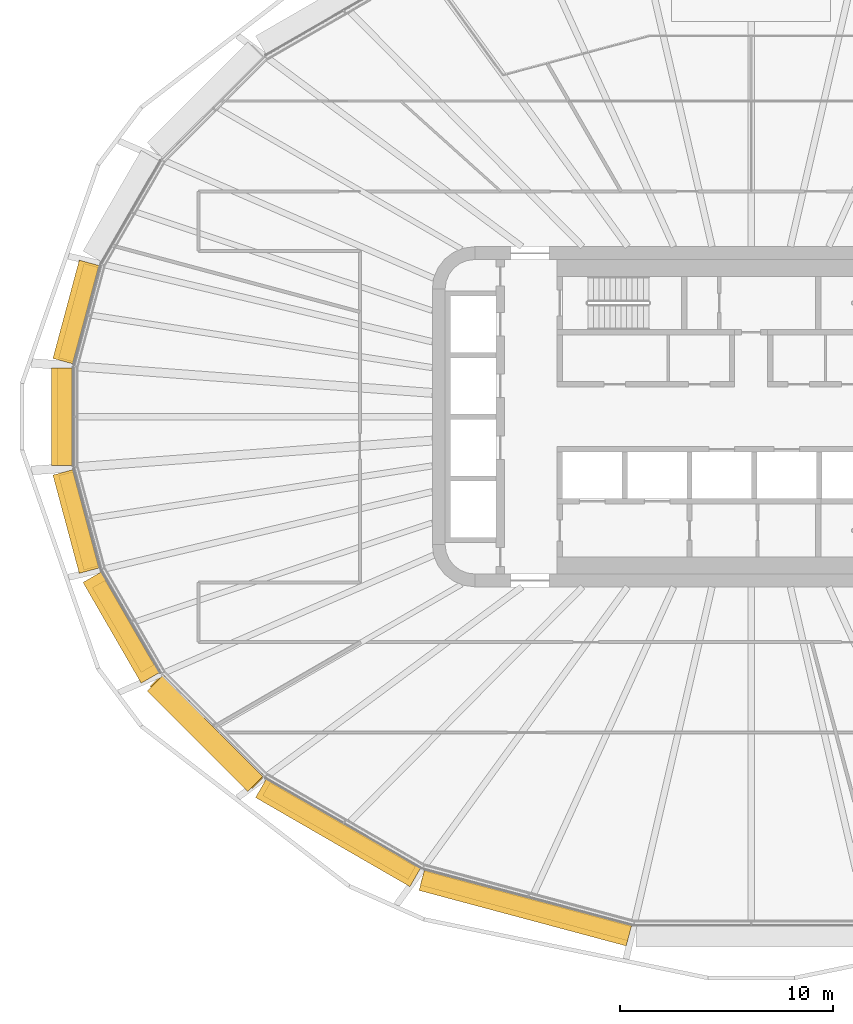
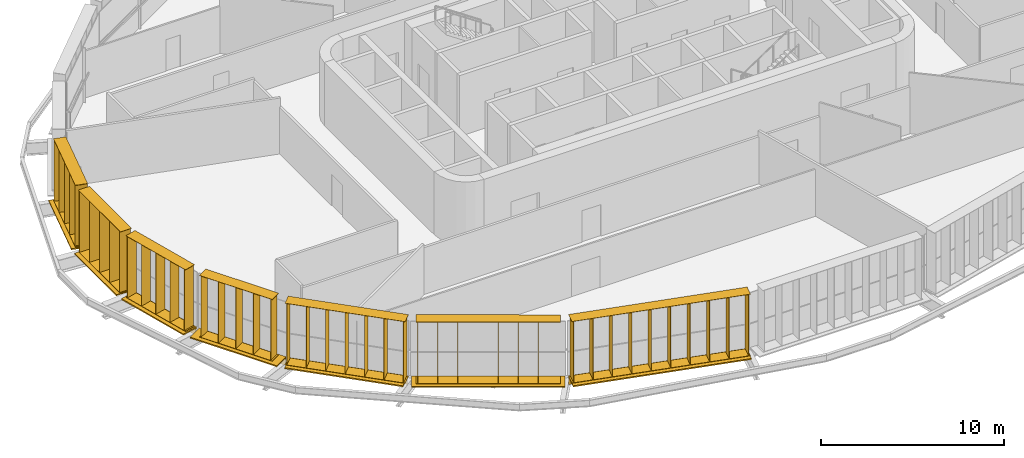
# One storey, part 19 of 24: 14 shading devices.
"""IFC4 building model written with IfcOpenShell, lengths in metres."""

from ifc_helpers import new_model, si_unit, direction, frame, origin, origin_2d, place, context, subcontext, project, spatial, rectangle, extrude, material, type_object, element, save


model = new_model("IFC4")

# Units and contexts
model_context = context("Model", 3, precision=1e-05, world=origin(), true_north=direction((0.0, 1.0)))
body_context = subcontext(model_context, "Body", "Model", "MODEL_VIEW")
ifc_project = project(units=[si_unit("LENGTHUNIT", "METRE"), si_unit("AREAUNIT", "SQUARE_METRE"), si_unit("VOLUMEUNIT", "CUBIC_METRE"), si_unit("PLANEANGLEUNIT", "RADIAN"), si_unit("MASSUNIT", "GRAM", prefix="KILO")], contexts=[model_context])

# Site, building, storey
site_placement = place(None, origin())
site = spatial("IfcSite", under=ifc_project, at=site_placement, CompositionType="ELEMENT")
building_placement = place(site_placement, origin())
building = spatial("IfcBuilding", under=site, at=building_placement, Name="Sahrelin Media Tower", CompositionType="ELEMENT")
storey_placement = place(building_placement, frame((0.0, 0.0, 118.800048828125)))
storey = spatial("IfcBuildingStorey", under=building, at=storey_placement, Name="L23", CompositionType="ELEMENT", Elevation=118.800048828125)

# Shading devices
ifc_material = material(Name="Champagne anodised aluminium 6063-T6", Category="aluminium")
shading_device_type_1 = type_object("IfcShadingDeviceType", Name="Fin cassette", PredefinedType="USERDEFINED", material=ifc_material)
placement_1 = place(storey_placement, frame((-31.23681640625, 4.788818359375, 0.0), z_axis=(0.0, 0.0, 1.0), x_axis=(0.258807731996, 0.965928857556, 0.0)))
element("IfcShadingDevice", 1, at=placement_1, inside=storey, type_object=shading_device_type_1, Name="L23:FIN:L23-11", ObjectType="FIN", PredefinedType="USERDEFINED", context=body_context, shape_type="SweptSolid", body=[
    extrude(rectangle(XDim=4.60009765625, YDim=0.699951171875, at=origin_2d()), frame((0.0, 0.419921875, 0.0)), (0.0, 0.0, 1.0), 0.02001953125),
    extrude(rectangle(XDim=4.60009765625, YDim=0.699951171875, at=origin_2d()), frame((0.0, 0.419921875, 4.10009765625)), (0.0, 0.0, 1.0), 0.02001953125),
    extrude(rectangle(XDim=0.02001953125, YDim=0.699951171875, at=origin_2d()), frame((-2.199951171875, 0.419921875, 0.010009765625), z_axis=(0.0, 0.0, 1.0), x_axis=(1.0, 0.0, 0.0)), (0.0, 0.0, 1.0), 4.10009765625),
    extrude(rectangle(XDim=0.02001953125, YDim=0.699951171875, at=origin_2d()), frame((-1.10009765625, 0.419921875, 0.010009765625), z_axis=(0.0, 0.0, 1.0), x_axis=(1.0, 0.0, 0.0)), (0.0, 0.0, 1.0), 4.10009765625),
    extrude(rectangle(XDim=0.02001953125, YDim=0.699951171875, at=origin_2d()), frame((0.0, 0.419921875, 0.010009765625), z_axis=(0.0, 0.0, 1.0), x_axis=(1.0, 0.0, 0.0)), (0.0, 0.0, 1.0), 4.10009765625),
    extrude(rectangle(XDim=0.02001953125, YDim=0.699951171875, at=origin_2d()), frame((1.10009765625, 0.419921875, 0.010009765625), z_axis=(0.0, 0.0, 1.0), x_axis=(1.0, 0.0, 0.0)), (0.0, 0.0, 1.0), 4.10009765625),
    extrude(rectangle(XDim=0.02001953125, YDim=0.699951171875, at=origin_2d()), frame((2.199951171875, 0.419921875, 0.010009765625), z_axis=(0.0, 0.0, 1.0), x_axis=(1.0, 0.0, 0.0)), (0.0, 0.0, 1.0), 4.10009765625),
])
placement_2 = place(storey_placement, frame((-31.881591796875, 0.0, 0.0), z_axis=(0.0, 0.0, 1.0), x_axis=(0.0, 1.0, 0.0)))
element("IfcShadingDevice", 2, at=placement_2, inside=storey, type_object=shading_device_type_1, Name="L23:FIN:L23-12", ObjectType="FIN", PredefinedType="USERDEFINED", context=body_context, shape_type="SweptSolid", body=[
    extrude(rectangle(XDim=4.60009765625, YDim=0.699951171875, at=origin_2d()), frame((0.0, 0.419921875, 0.0)), (0.0, 0.0, 1.0), 0.02001953125),
    extrude(rectangle(XDim=4.60009765625, YDim=0.699951171875, at=origin_2d()), frame((0.0, 0.419921875, 4.10009765625)), (0.0, 0.0, 1.0), 0.02001953125),
    extrude(rectangle(XDim=0.02001953125, YDim=0.699951171875, at=origin_2d()), frame((-2.199951171875, 0.419921875, 0.010009765625), z_axis=(0.0, 0.0, 1.0), x_axis=(1.0, 0.0, 0.0)), (0.0, 0.0, 1.0), 4.10009765625),
    extrude(rectangle(XDim=0.02001953125, YDim=0.699951171875, at=origin_2d()), frame((-1.10009765625, 0.419921875, 0.010009765625), z_axis=(0.0, 0.0, 1.0), x_axis=(1.0, 0.0, 0.0)), (0.0, 0.0, 1.0), 4.10009765625),
    extrude(rectangle(XDim=0.02001953125, YDim=0.699951171875, at=origin_2d()), frame((0.0, 0.419921875, 0.010009765625), z_axis=(0.0, 0.0, 1.0), x_axis=(1.0, 0.0, 0.0)), (0.0, 0.0, 1.0), 4.10009765625),
    extrude(rectangle(XDim=0.02001953125, YDim=0.699951171875, at=origin_2d()), frame((1.10009765625, 0.419921875, 0.010009765625), z_axis=(0.0, 0.0, 1.0), x_axis=(1.0, 0.0, 0.0)), (0.0, 0.0, 1.0), 4.10009765625),
    extrude(rectangle(XDim=0.02001953125, YDim=0.699951171875, at=origin_2d()), frame((2.199951171875, 0.419921875, 0.010009765625), z_axis=(0.0, 0.0, 1.0), x_axis=(1.0, 0.0, 0.0)), (0.0, 0.0, 1.0), 4.10009765625),
])
placement_3 = place(storey_placement, frame((-31.23681640625, -4.788818359375, 0.0), z_axis=(0.0, 0.0, 1.0), x_axis=(-0.258807731996, 0.965928857556, 0.0)))
element("IfcShadingDevice", 3, at=placement_3, inside=storey, type_object=shading_device_type_1, Name="L23:FIN:L23-13", ObjectType="FIN", PredefinedType="USERDEFINED", context=body_context, shape_type="SweptSolid", body=[
    extrude(rectangle(XDim=4.60009765625, YDim=0.699951171875, at=origin_2d()), frame((0.0, 0.419921875, 0.0)), (0.0, 0.0, 1.0), 0.02001953125),
    extrude(rectangle(XDim=4.60009765625, YDim=0.699951171875, at=origin_2d()), frame((0.0, 0.419921875, 4.10009765625)), (0.0, 0.0, 1.0), 0.02001953125),
    extrude(rectangle(XDim=0.02001953125, YDim=0.699951171875, at=origin_2d()), frame((-2.199951171875, 0.419921875, 0.010009765625), z_axis=(0.0, 0.0, 1.0), x_axis=(1.0, 0.0, 0.0)), (0.0, 0.0, 1.0), 4.10009765625),
    extrude(rectangle(XDim=0.02001953125, YDim=0.699951171875, at=origin_2d()), frame((-1.10009765625, 0.419921875, 0.010009765625), z_axis=(0.0, 0.0, 1.0), x_axis=(1.0, 0.0, 0.0)), (0.0, 0.0, 1.0), 4.10009765625),
    extrude(rectangle(XDim=0.02001953125, YDim=0.699951171875, at=origin_2d()), frame((0.0, 0.419921875, 0.010009765625), z_axis=(0.0, 0.0, 1.0), x_axis=(1.0, 0.0, 0.0)), (0.0, 0.0, 1.0), 4.10009765625),
    extrude(rectangle(XDim=0.02001953125, YDim=0.699951171875, at=origin_2d()), frame((1.10009765625, 0.419921875, 0.010009765625), z_axis=(0.0, 0.0, 1.0), x_axis=(1.0, 0.0, 0.0)), (0.0, 0.0, 1.0), 4.10009765625),
    extrude(rectangle(XDim=0.02001953125, YDim=0.699951171875, at=origin_2d()), frame((2.199951171875, 0.419921875, 0.010009765625), z_axis=(0.0, 0.0, 1.0), x_axis=(1.0, 0.0, 0.0)), (0.0, 0.0, 1.0), 4.10009765625),
])
placement_4 = place(storey_placement, frame((-29.174560546875, -9.650390625, 0.0), z_axis=(0.0, 0.0, 1.0), x_axis=(-0.500011000363, 0.866019052629, 0.0)))
element("IfcShadingDevice", 4, at=placement_4, inside=storey, type_object=shading_device_type_1, Name="L23:FIN:L23-14", ObjectType="FIN", PredefinedType="USERDEFINED", context=body_context, shape_type="SweptSolid", body=[
    extrude(rectangle(XDim=4.60009765625, YDim=0.699951171875, at=origin_2d()), frame((0.0, 0.419921875, 0.0)), (0.0, 0.0, 1.0), 0.02001953125),
    extrude(rectangle(XDim=4.60009765625, YDim=0.699951171875, at=origin_2d()), frame((0.0, 0.419921875, 4.10009765625)), (0.0, 0.0, 1.0), 0.02001953125),
    extrude(rectangle(XDim=0.02001953125, YDim=0.699951171875, at=origin_2d()), frame((-2.199951171875, 0.419921875, 0.010009765625), z_axis=(0.0, 0.0, 1.0), x_axis=(1.0, 0.0, 0.0)), (0.0, 0.0, 1.0), 4.10009765625),
    extrude(rectangle(XDim=0.02001953125, YDim=0.699951171875, at=origin_2d()), frame((-1.10009765625, 0.419921875, 0.010009765625), z_axis=(0.0, 0.0, 1.0), x_axis=(1.0, 0.0, 0.0)), (0.0, 0.0, 1.0), 4.10009765625),
    extrude(rectangle(XDim=0.02001953125, YDim=0.699951171875, at=origin_2d()), frame((0.0, 0.419921875, 0.010009765625), z_axis=(0.0, 0.0, 1.0), x_axis=(1.0, 0.0, 0.0)), (0.0, 0.0, 1.0), 4.10009765625),
    extrude(rectangle(XDim=0.02001953125, YDim=0.699951171875, at=origin_2d()), frame((1.10009765625, 0.419921875, 0.010009765625), z_axis=(0.0, 0.0, 1.0), x_axis=(1.0, 0.0, 0.0)), (0.0, 0.0, 1.0), 4.10009765625),
    extrude(rectangle(XDim=0.02001953125, YDim=0.699951171875, at=origin_2d()), frame((2.199951171875, 0.419921875, 0.010009765625), z_axis=(0.0, 0.0, 1.0), x_axis=(1.0, 0.0, 0.0)), (0.0, 0.0, 1.0), 4.10009765625),
])
placement_5 = place(storey_placement, frame((-25.322021484375, -14.54052734375, 0.0), z_axis=(0.0, 0.0, 1.0), x_axis=(-0.707106781187, 0.707106781187, 0.0)))
element("IfcShadingDevice", 5, at=placement_5, inside=storey, type_object=shading_device_type_1, Name="L23:FIN:L23-15", ObjectType="FIN", PredefinedType="USERDEFINED", context=body_context, shape_type="SweptSolid", body=[
    extrude(rectangle(XDim=6.800048828125, YDim=0.699951171875, at=origin_2d()), frame((0.0, 0.419921875, 0.0)), (0.0, 0.0, 1.0), 0.02001953125),
    extrude(rectangle(XDim=6.800048828125, YDim=0.699951171875, at=origin_2d()), frame((0.0, 0.419921875, 4.10009765625)), (0.0, 0.0, 1.0), 0.02001953125),
    extrude(rectangle(XDim=0.02001953125, YDim=0.699951171875, at=origin_2d()), frame((-3.300048828125, 0.419921875, 0.010009765625), z_axis=(0.0, 0.0, 1.0), x_axis=(1.0, 0.0, 0.0)), (0.0, 0.0, 1.0), 4.10009765625),
    extrude(rectangle(XDim=0.02001953125, YDim=0.699951171875, at=origin_2d()), frame((-2.199951171875, 0.419921875, 0.010009765625), z_axis=(0.0, 0.0, 1.0), x_axis=(1.0, 0.0, 0.0)), (0.0, 0.0, 1.0), 4.10009765625),
    extrude(rectangle(XDim=0.02001953125, YDim=0.699951171875, at=origin_2d()), frame((-1.10009765625, 0.419921875, 0.010009765625), z_axis=(0.0, 0.0, 1.0), x_axis=(1.0, 0.0, 0.0)), (0.0, 0.0, 1.0), 4.10009765625),
    extrude(rectangle(XDim=0.02001953125, YDim=0.699951171875, at=origin_2d()), frame((0.0, 0.419921875, 0.010009765625), z_axis=(0.0, 0.0, 1.0), x_axis=(1.0, 0.0, 0.0)), (0.0, 0.0, 1.0), 4.10009765625),
    extrude(rectangle(XDim=0.02001953125, YDim=0.699951171875, at=origin_2d()), frame((1.10009765625, 0.419921875, 0.010009765625), z_axis=(0.0, 0.0, 1.0), x_axis=(1.0, 0.0, 0.0)), (0.0, 0.0, 1.0), 4.10009765625),
    extrude(rectangle(XDim=0.02001953125, YDim=0.699951171875, at=origin_2d()), frame((2.199951171875, 0.419921875, 0.010009765625), z_axis=(0.0, 0.0, 1.0), x_axis=(1.0, 0.0, 0.0)), (0.0, 0.0, 1.0), 4.10009765625),
    extrude(rectangle(XDim=0.02001953125, YDim=0.699951171875, at=origin_2d()), frame((3.300048828125, 0.419921875, 0.010009765625), z_axis=(0.0, 0.0, 1.0), x_axis=(1.0, 0.0, 0.0)), (0.0, 0.0, 1.0), 4.10009765625),
])
placement_6 = place(storey_placement, frame((-19.17041015625, -19.12158203125, 0.0), z_axis=(0.0, 0.0, 1.0), x_axis=(-0.866019052629, 0.500011000363, 0.0)))
element("IfcShadingDevice", 6, at=placement_6, inside=storey, type_object=shading_device_type_1, Name="L23:FIN:L23-16", ObjectType="FIN", PredefinedType="USERDEFINED", context=body_context, shape_type="SweptSolid", body=[
    extrude(rectangle(XDim=7.89990234375, YDim=0.699951171875, at=origin_2d()), frame((0.0, 0.419921875, 0.0)), (0.0, 0.0, 1.0), 0.02001953125),
    extrude(rectangle(XDim=7.89990234375, YDim=0.699951171875, at=origin_2d()), frame((0.0, 0.419921875, 4.10009765625)), (0.0, 0.0, 1.0), 0.02001953125),
    extrude(rectangle(XDim=0.02001953125, YDim=0.699951171875, at=origin_2d()), frame((-3.85009765625, 0.419921875, 0.010009765625), z_axis=(0.0, 0.0, 1.0), x_axis=(1.0, 0.0, 0.0)), (0.0, 0.0, 1.0), 4.10009765625),
    extrude(rectangle(XDim=0.02001953125, YDim=0.699951171875, at=origin_2d()), frame((-2.75, 0.419921875, 0.010009765625), z_axis=(0.0, 0.0, 1.0), x_axis=(1.0, 0.0, 0.0)), (0.0, 0.0, 1.0), 4.10009765625),
    extrude(rectangle(XDim=0.02001953125, YDim=0.699951171875, at=origin_2d()), frame((-1.64990234375, 0.419921875, 0.010009765625), z_axis=(0.0, 0.0, 1.0), x_axis=(1.0, 0.0, 0.0)), (0.0, 0.0, 1.0), 4.10009765625),
    extrude(rectangle(XDim=0.02001953125, YDim=0.699951171875, at=origin_2d()), frame((-0.550048828125, 0.419921875, 0.010009765625), z_axis=(0.0, 0.0, 1.0), x_axis=(1.0, 0.0, 0.0)), (0.0, 0.0, 1.0), 4.10009765625),
    extrude(rectangle(XDim=0.02001953125, YDim=0.699951171875, at=origin_2d()), frame((0.550048828125, 0.419921875, 0.010009765625), z_axis=(0.0, 0.0, 1.0), x_axis=(1.0, 0.0, 0.0)), (0.0, 0.0, 1.0), 4.10009765625),
    extrude(rectangle(XDim=0.02001953125, YDim=0.699951171875, at=origin_2d()), frame((1.64990234375, 0.419921875, 0.010009765625), z_axis=(0.0, 0.0, 1.0), x_axis=(1.0, 0.0, 0.0)), (0.0, 0.0, 1.0), 4.10009765625),
    extrude(rectangle(XDim=0.02001953125, YDim=0.699951171875, at=origin_2d()), frame((2.75, 0.419921875, 0.010009765625), z_axis=(0.0, 0.0, 1.0), x_axis=(1.0, 0.0, 0.0)), (0.0, 0.0, 1.0), 4.10009765625),
    extrude(rectangle(XDim=0.02001953125, YDim=0.699951171875, at=origin_2d()), frame((3.85009765625, 0.419921875, 0.010009765625), z_axis=(0.0, 0.0, 1.0), x_axis=(1.0, 0.0, 0.0)), (0.0, 0.0, 1.0), 4.10009765625),
])
placement_7 = place(storey_placement, frame((-10.487060546875, -22.59814453125, 0.0), z_axis=(0.0, 0.0, 1.0), x_axis=(-0.965928857556, 0.258807731996, 0.0)))
element("IfcShadingDevice", 7, at=placement_7, inside=storey, type_object=shading_device_type_1, Name="L23:FIN:L23-17", ObjectType="FIN", PredefinedType="USERDEFINED", context=body_context, shape_type="SweptSolid", body=[
    extrude(rectangle(XDim=10.10009765625, YDim=0.699951171875, at=origin_2d()), frame((0.0, 0.419921875, 0.0)), (0.0, 0.0, 1.0), 0.02001953125),
    extrude(rectangle(XDim=10.10009765625, YDim=0.699951171875, at=origin_2d()), frame((0.0, 0.419921875, 4.10009765625)), (0.0, 0.0, 1.0), 0.02001953125),
    extrude(rectangle(XDim=0.02001953125, YDim=0.699951171875, at=origin_2d()), frame((-4.949951171875, 0.419921875, 0.010009765625), z_axis=(0.0, 0.0, 1.0), x_axis=(1.0, 0.0, 0.0)), (0.0, 0.0, 1.0), 4.10009765625),
    extrude(rectangle(XDim=0.02001953125, YDim=0.699951171875, at=origin_2d()), frame((-3.85009765625, 0.419921875, 0.010009765625), z_axis=(0.0, 0.0, 1.0), x_axis=(1.0, 0.0, 0.0)), (0.0, 0.0, 1.0), 4.10009765625),
    extrude(rectangle(XDim=0.02001953125, YDim=0.699951171875, at=origin_2d()), frame((-2.75, 0.419921875, 0.010009765625), z_axis=(0.0, 0.0, 1.0), x_axis=(1.0, 0.0, 0.0)), (0.0, 0.0, 1.0), 4.10009765625),
    extrude(rectangle(XDim=0.02001953125, YDim=0.699951171875, at=origin_2d()), frame((-1.64990234375, 0.419921875, 0.010009765625), z_axis=(0.0, 0.0, 1.0), x_axis=(1.0, 0.0, 0.0)), (0.0, 0.0, 1.0), 4.10009765625),
    extrude(rectangle(XDim=0.02001953125, YDim=0.699951171875, at=origin_2d()), frame((-0.550048828125, 0.419921875, 0.010009765625), z_axis=(0.0, 0.0, 1.0), x_axis=(1.0, 0.0, 0.0)), (0.0, 0.0, 1.0), 4.10009765625),
    extrude(rectangle(XDim=0.02001953125, YDim=0.699951171875, at=origin_2d()), frame((0.550048828125, 0.419921875, 0.010009765625), z_axis=(0.0, 0.0, 1.0), x_axis=(1.0, 0.0, 0.0)), (0.0, 0.0, 1.0), 4.10009765625),
    extrude(rectangle(XDim=0.02001953125, YDim=0.699951171875, at=origin_2d()), frame((1.64990234375, 0.419921875, 0.010009765625), z_axis=(0.0, 0.0, 1.0), x_axis=(1.0, 0.0, 0.0)), (0.0, 0.0, 1.0), 4.10009765625),
    extrude(rectangle(XDim=0.02001953125, YDim=0.699951171875, at=origin_2d()), frame((2.75, 0.419921875, 0.010009765625), z_axis=(0.0, 0.0, 1.0), x_axis=(1.0, 0.0, 0.0)), (0.0, 0.0, 1.0), 4.10009765625),
    extrude(rectangle(XDim=0.02001953125, YDim=0.699951171875, at=origin_2d()), frame((3.85009765625, 0.419921875, 0.010009765625), z_axis=(0.0, 0.0, 1.0), x_axis=(1.0, 0.0, 0.0)), (0.0, 0.0, 1.0), 4.10009765625),
    extrude(rectangle(XDim=0.02001953125, YDim=0.699951171875, at=origin_2d()), frame((4.949951171875, 0.419921875, 0.010009765625), z_axis=(0.0, 0.0, 1.0), x_axis=(1.0, 0.0, 0.0)), (0.0, 0.0, 1.0), 4.10009765625),
])
shading_device_type_2 = type_object("IfcShadingDeviceType", Name="Sunshade band", PredefinedType="USERDEFINED", material=ifc_material)
element("IfcShadingDevice", 8, at=placement_1, inside=storey, type_object=shading_device_type_2, Name="L23:SUN:L23-11", ObjectType="SUNSHADE", PredefinedType="USERDEFINED", context=body_context, shape_type="SweptSolid", body=[
    extrude(rectangle(XDim=4.782958984375, YDim=0.050048828125, at=origin_2d()), frame((0.0, 0.044921875, -0.55126953125)), (0.0, 0.0, 1.0), 0.471435546875),
    extrude(rectangle(XDim=4.782958984375, YDim=1.0, at=origin_2d()), frame((0.0, 0.52001953125, -0.080078125)), (0.0, 0.0, 1.0), 0.080078125),
    extrude(rectangle(XDim=0.10009765625, YDim=0.074951171875, at=origin_2d()), frame((-2.29150390625, -0.017578125, -0.47021484375)), (0.0, 0.0, 1.0), 0.300048828125),
    extrude(rectangle(XDim=0.10009765625, YDim=0.074951171875, at=origin_2d()), frame((-0.763916015625, -0.017578125, -0.47021484375)), (0.0, 0.0, 1.0), 0.300048828125),
    extrude(rectangle(XDim=0.10009765625, YDim=0.074951171875, at=origin_2d()), frame((0.763916015625, -0.017578125, -0.47021484375)), (0.0, 0.0, 1.0), 0.300048828125),
    extrude(rectangle(XDim=0.10009765625, YDim=0.074951171875, at=origin_2d()), frame((2.29150390625, -0.017578125, -0.47021484375)), (0.0, 0.0, 1.0), 0.300048828125),
])
element("IfcShadingDevice", 9, at=placement_2, inside=storey, type_object=shading_device_type_2, Name="L23:SUN:L23-12", ObjectType="SUNSHADE", PredefinedType="USERDEFINED", context=body_context, shape_type="SweptSolid", body=[
    extrude(rectangle(XDim=4.564697265625, YDim=0.050048828125, at=origin_2d()), frame((0.0, 0.044921875, -0.55126953125)), (0.0, 0.0, 1.0), 0.471435546875),
    extrude(rectangle(XDim=4.564697265625, YDim=1.0, at=origin_2d()), frame((0.0, 0.52001953125, -0.080078125)), (0.0, 0.0, 1.0), 0.080078125),
    extrude(rectangle(XDim=0.10009765625, YDim=0.074951171875, at=origin_2d()), frame((-2.182373046875, -0.017578125, -0.47021484375)), (0.0, 0.0, 1.0), 0.300048828125),
    extrude(rectangle(XDim=0.10009765625, YDim=0.074951171875, at=origin_2d()), frame((-0.727294921875, -0.017578125, -0.47021484375)), (0.0, 0.0, 1.0), 0.300048828125),
    extrude(rectangle(XDim=0.10009765625, YDim=0.074951171875, at=origin_2d()), frame((0.727294921875, -0.017578125, -0.47021484375)), (0.0, 0.0, 1.0), 0.300048828125),
    extrude(rectangle(XDim=0.10009765625, YDim=0.074951171875, at=origin_2d()), frame((2.182373046875, -0.017578125, -0.47021484375)), (0.0, 0.0, 1.0), 0.300048828125),
])
element("IfcShadingDevice", 10, at=placement_3, inside=storey, type_object=shading_device_type_2, Name="L23:SUN:L23-13", ObjectType="SUNSHADE", PredefinedType="USERDEFINED", context=body_context, shape_type="SweptSolid", body=[
    extrude(rectangle(XDim=4.782958984375, YDim=0.050048828125, at=origin_2d()), frame((0.0, 0.044921875, -0.55126953125)), (0.0, 0.0, 1.0), 0.471435546875),
    extrude(rectangle(XDim=4.782958984375, YDim=1.0, at=origin_2d()), frame((0.0, 0.52001953125, -0.080078125)), (0.0, 0.0, 1.0), 0.080078125),
    extrude(rectangle(XDim=0.10009765625, YDim=0.074951171875, at=origin_2d()), frame((-2.29150390625, -0.017578125, -0.47021484375)), (0.0, 0.0, 1.0), 0.300048828125),
    extrude(rectangle(XDim=0.10009765625, YDim=0.074951171875, at=origin_2d()), frame((-0.763916015625, -0.017578125, -0.47021484375)), (0.0, 0.0, 1.0), 0.300048828125),
    extrude(rectangle(XDim=0.10009765625, YDim=0.074951171875, at=origin_2d()), frame((0.763916015625, -0.017578125, -0.47021484375)), (0.0, 0.0, 1.0), 0.300048828125),
    extrude(rectangle(XDim=0.10009765625, YDim=0.074951171875, at=origin_2d()), frame((2.29150390625, -0.017578125, -0.47021484375)), (0.0, 0.0, 1.0), 0.300048828125),
])
element("IfcShadingDevice", 11, at=placement_4, inside=storey, type_object=shading_device_type_2, Name="L23:SUN:L23-14", ObjectType="SUNSHADE", PredefinedType="USERDEFINED", context=body_context, shape_type="SweptSolid", body=[
    extrude(rectangle(XDim=5.469482421875, YDim=0.050048828125, at=origin_2d()), frame((0.0, 0.044921875, -0.55126953125)), (0.0, 0.0, 1.0), 0.471435546875),
    extrude(rectangle(XDim=5.469482421875, YDim=1.0, at=origin_2d()), frame((0.0, 0.52001953125, -0.080078125)), (0.0, 0.0, 1.0), 0.080078125),
    extrude(rectangle(XDim=0.10009765625, YDim=0.074951171875, at=origin_2d()), frame((-2.634765625, -0.017578125, -0.47021484375)), (0.0, 0.0, 1.0), 0.300048828125),
    extrude(rectangle(XDim=0.10009765625, YDim=0.074951171875, at=origin_2d()), frame((-0.87841796875, -0.017578125, -0.47021484375)), (0.0, 0.0, 1.0), 0.300048828125),
    extrude(rectangle(XDim=0.10009765625, YDim=0.074951171875, at=origin_2d()), frame((0.87841796875, -0.017578125, -0.47021484375)), (0.0, 0.0, 1.0), 0.300048828125),
    extrude(rectangle(XDim=0.10009765625, YDim=0.074951171875, at=origin_2d()), frame((2.634765625, -0.017578125, -0.47021484375)), (0.0, 0.0, 1.0), 0.300048828125),
])
element("IfcShadingDevice", 12, at=placement_5, inside=storey, type_object=shading_device_type_2, Name="L23:SUN:L23-15", ObjectType="SUNSHADE", PredefinedType="USERDEFINED", context=body_context, shape_type="SweptSolid", body=[
    extrude(rectangle(XDim=6.6875, YDim=0.050048828125, at=origin_2d()), frame((0.0, 0.044921875, -0.55126953125)), (0.0, 0.0, 1.0), 0.471435546875),
    extrude(rectangle(XDim=6.6875, YDim=1.0, at=origin_2d()), frame((0.0, 0.52001953125, -0.080078125)), (0.0, 0.0, 1.0), 0.080078125),
    extrude(rectangle(XDim=0.10009765625, YDim=0.074951171875, at=origin_2d()), frame((-3.243896484375, -0.017578125, -0.47021484375)), (0.0, 0.0, 1.0), 0.300048828125),
    extrude(rectangle(XDim=0.10009765625, YDim=0.074951171875, at=origin_2d()), frame((-1.621826171875, -0.017578125, -0.47021484375)), (0.0, 0.0, 1.0), 0.300048828125),
    extrude(rectangle(XDim=0.10009765625, YDim=0.074951171875, at=origin_2d()), frame((0.0, -0.017578125, -0.47021484375)), (0.0, 0.0, 1.0), 0.300048828125),
    extrude(rectangle(XDim=0.10009765625, YDim=0.074951171875, at=origin_2d()), frame((1.621826171875, -0.017578125, -0.47021484375)), (0.0, 0.0, 1.0), 0.300048828125),
    extrude(rectangle(XDim=0.10009765625, YDim=0.074951171875, at=origin_2d()), frame((3.243896484375, -0.017578125, -0.47021484375)), (0.0, 0.0, 1.0), 0.300048828125),
])
element("IfcShadingDevice", 13, at=placement_6, inside=storey, type_object=shading_device_type_2, Name="L23:SUN:L23-16", ObjectType="SUNSHADE", PredefinedType="USERDEFINED", context=body_context, shape_type="SweptSolid", body=[
    extrude(rectangle(XDim=8.383056640625, YDim=0.050048828125, at=origin_2d()), frame((0.0, 0.044921875, -0.55126953125)), (0.0, 0.0, 1.0), 0.471435546875),
    extrude(rectangle(XDim=8.383056640625, YDim=1.0, at=origin_2d()), frame((0.0, 0.52001953125, -0.080078125)), (0.0, 0.0, 1.0), 0.080078125),
    extrude(rectangle(XDim=0.10009765625, YDim=0.074951171875, at=origin_2d()), frame((-4.091552734375, -0.017578125, -0.47021484375)), (0.0, 0.0, 1.0), 0.300048828125),
    extrude(rectangle(XDim=0.10009765625, YDim=0.074951171875, at=origin_2d()), frame((-2.454833984375, -0.017578125, -0.47021484375)), (0.0, 0.0, 1.0), 0.300048828125),
    extrude(rectangle(XDim=0.10009765625, YDim=0.074951171875, at=origin_2d()), frame((-0.818359375, -0.017578125, -0.47021484375)), (0.0, 0.0, 1.0), 0.300048828125),
    extrude(rectangle(XDim=0.10009765625, YDim=0.074951171875, at=origin_2d()), frame((0.818359375, -0.017578125, -0.47021484375)), (0.0, 0.0, 1.0), 0.300048828125),
    extrude(rectangle(XDim=0.10009765625, YDim=0.074951171875, at=origin_2d()), frame((2.454833984375, -0.017578125, -0.47021484375)), (0.0, 0.0, 1.0), 0.300048828125),
    extrude(rectangle(XDim=0.10009765625, YDim=0.074951171875, at=origin_2d()), frame((4.091552734375, -0.017578125, -0.47021484375)), (0.0, 0.0, 1.0), 0.300048828125),
])
element("IfcShadingDevice", 14, at=placement_7, inside=storey, type_object=shading_device_type_2, Name="L23:SUN:L23-17", ObjectType="SUNSHADE", PredefinedType="USERDEFINED", context=body_context, shape_type="SweptSolid", body=[
    extrude(rectangle(XDim=10.083984375, YDim=0.050048828125, at=origin_2d()), frame((0.0, 0.044921875, -0.55126953125)), (0.0, 0.0, 1.0), 0.471435546875),
    extrude(rectangle(XDim=10.083984375, YDim=1.0, at=origin_2d()), frame((0.0, 0.52001953125, -0.080078125)), (0.0, 0.0, 1.0), 0.080078125),
    extrude(rectangle(XDim=0.10009765625, YDim=0.074951171875, at=origin_2d()), frame((-4.94189453125, -0.017578125, -0.47021484375)), (0.0, 0.0, 1.0), 0.300048828125),
    extrude(rectangle(XDim=0.10009765625, YDim=0.074951171875, at=origin_2d()), frame((-3.294677734375, -0.017578125, -0.47021484375)), (0.0, 0.0, 1.0), 0.300048828125),
    extrude(rectangle(XDim=0.10009765625, YDim=0.074951171875, at=origin_2d()), frame((-1.647216796875, -0.017578125, -0.47021484375)), (0.0, 0.0, 1.0), 0.300048828125),
    extrude(rectangle(XDim=0.10009765625, YDim=0.074951171875, at=origin_2d()), frame((0.0, -0.017578125, -0.47021484375)), (0.0, 0.0, 1.0), 0.300048828125),
    extrude(rectangle(XDim=0.10009765625, YDim=0.074951171875, at=origin_2d()), frame((1.647216796875, -0.017578125, -0.47021484375)), (0.0, 0.0, 1.0), 0.300048828125),
    extrude(rectangle(XDim=0.10009765625, YDim=0.074951171875, at=origin_2d()), frame((3.294677734375, -0.017578125, -0.47021484375)), (0.0, 0.0, 1.0), 0.300048828125),
    extrude(rectangle(XDim=0.10009765625, YDim=0.074951171875, at=origin_2d()), frame((4.94189453125, -0.017578125, -0.47021484375)), (0.0, 0.0, 1.0), 0.300048828125),
])

save(model, "model.ifc")
